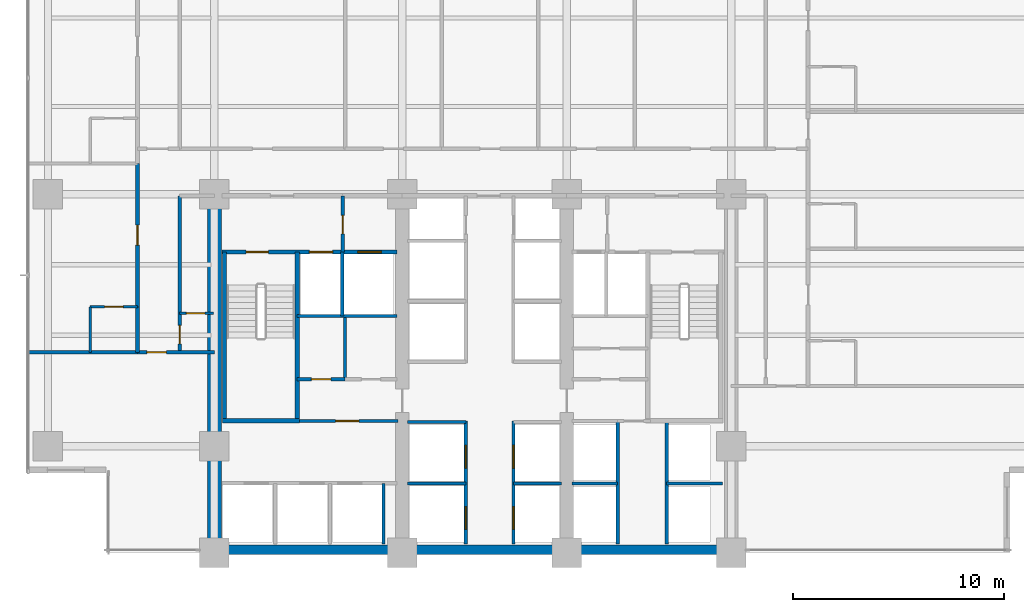
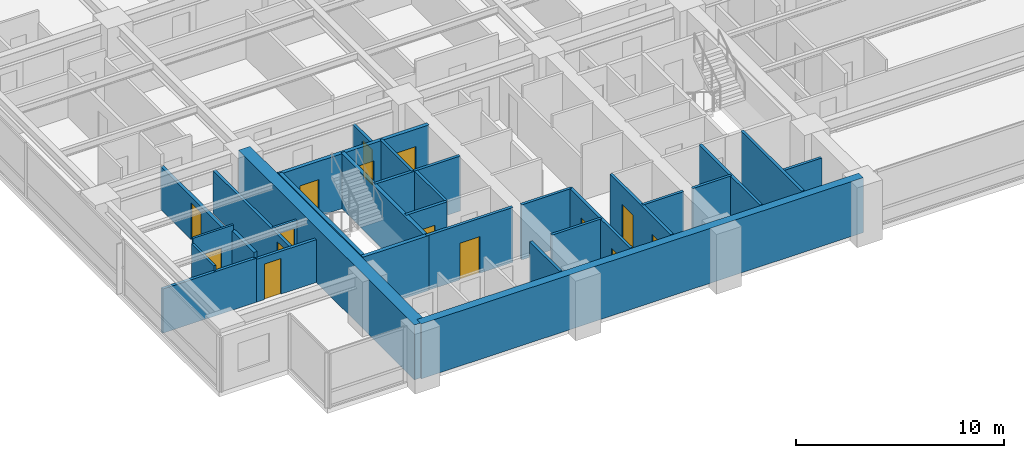
# One storey, part 7 of 17: 30 walls, 15 doors, 15 openings.
"""IFC4 building model written with IfcOpenShell, lengths in metres."""

from ifc_helpers import new_model, si_unit, direction, frame, frame_2d, origin, place, context, subcontext, project, spatial, rectangle, extrude, material, layer, layer_set, type_object, element, fill, save


model = new_model("IFC4")

# Units and contexts
model_context = context("Model", 3, precision=1e-05, world=origin(), true_north=direction((0.0, 1.0)))
body_context = subcontext(model_context, "Body", "Model", "MODEL_VIEW")
ifc_project = project(units=[si_unit("LENGTHUNIT", "METRE"), si_unit("AREAUNIT", "SQUARE_METRE"), si_unit("VOLUMEUNIT", "CUBIC_METRE"), si_unit("PLANEANGLEUNIT", "RADIAN"), si_unit("MASSUNIT", "GRAM", prefix="KILO")], contexts=[model_context])

# Site, building, storey
site_placement = place(None, origin())
site = spatial("IfcSite", under=ifc_project, at=site_placement, CompositionType="ELEMENT")
building_placement = place(site_placement, origin())
building = spatial("IfcBuilding", under=site, at=building_placement, Name="Qalmaran Belvedere Hotel", CompositionType="ELEMENT")
storey_placement = place(building_placement, frame((0.0, 0.0, 47.39990234375)))
storey = spatial("IfcBuildingStorey", under=building, at=storey_placement, Name="L11", CompositionType="ELEMENT", Elevation=47.39990234375)

# Walls
ifc_material_1 = material(Name="Concrete C60/75", Category="concrete")
ifc_layer_1 = layer(ifc_material_1, 0.64990234375, Name="Concrete C60/75")
ifc_layer_set_1 = layer_set([ifc_layer_1], Name="Concrete C60/75")
wall_type_1 = type_object("IfcWallType", Name="WL-CORE-650-C60", PredefinedType="SHEAR", material=ifc_layer_set_1)
wall_1_placement = place(storey_placement, frame((20.300048828125, 3.5, 0.0), z_axis=(0.0, 0.0, 1.0), x_axis=(0.0, 1.0, 0.0)))
element("IfcWall", 1, at=wall_1_placement, inside=storey, type_object=wall_type_1, Name="L11 West Core Shear Wall", PredefinedType="SHEAR", context=body_context, shape_type="SweptSolid", body=[
    extrude(rectangle(XDim=16.89990234375, YDim=0.64990234375, at=frame_2d((8.449951171875, 0.0))), origin(), (0.0, 0.0, 1.0), 3.22021484375),
])
ifc_material_2 = material(Name="Concrete C50/60", Category="concrete")
ifc_layer_2 = layer(ifc_material_2, 0.43994140625, Name="Concrete C50/60")
ifc_layer_set_2 = layer_set([ifc_layer_2], Name="Concrete C50/60")
wall_type_2 = type_object("IfcWallType", Name="WL-CORES-440-EXT", PredefinedType="SHEAR", material=ifc_layer_set_2)
wall_2_placement = place(storey_placement, frame((20.300048828125, 3.6298828125, 0.0), z_axis=(0.0, 0.0, 1.0), x_axis=(1.0, 0.0, 0.0)))
element("IfcWall", 2, at=wall_2_placement, inside=storey, type_object=wall_type_2, Name="L11 South Core Shear Wall", PredefinedType="SHEAR", context=body_context, shape_type="SweptSolid", body=[
    extrude(rectangle(XDim=24.5, YDim=0.43994140625, at=frame_2d((12.25, 0.0))), origin(), (0.0, 0.0, 1.0), 3.22021484375),
])

# Wall, opening, door
ifc_material_3 = material(Name="Moisture-Resistant Gypsum")
ifc_layer_3 = layer(ifc_material_3, 0.1201171875, Name="Moisture-Resistant Gypsum")
ifc_layer_set_3 = layer_set([ifc_layer_3], Name="Moisture-Resistant Gypsum")
wall_type_3 = type_object("IfcWallType", Name="WL-INT-120-BATH", PredefinedType="PARTITIONING", material=ifc_layer_set_3)
wall_3_placement = place(storey_placement, frame((14.39990234375, 15.14990234375, 0.0), z_axis=(0.0, 0.0, 1.0), x_axis=(1.0, 0.0, 0.0)))
wall_3 = element("IfcWall", 3, at=wall_3_placement, inside=storey, type_object=wall_type_3, Name="L11 Partition WL-L11-WBN00", PredefinedType="PARTITIONING", context=body_context, shape_type="SweptSolid", body=[
    extrude(rectangle(XDim=2.25, YDim=0.1201171875, at=frame_2d((1.125, 0.0))), origin(), (0.0, 0.0, 1.0), 3.22021484375),
])
opening_1_placement = place(wall_3_placement, frame((1.56494140625, 0.0, 0.0), z_axis=(0.0, 0.0, 1.0), x_axis=(-1.0, 0.0, 0.0)))
opening_1 = element("IfcOpeningElement", 4, at=opening_1_placement, cuts=wall_3, Name="Opening D-BATH", PredefinedType="OPENING", context=body_context, shape_type="SweptSolid", body=[
    extrude(rectangle(XDim=0.8798828125, YDim=2.080078125, at=frame_2d((0.43994140625, 1.0400390625))), frame((0.0, 0.070068359375, 0.0), z_axis=(0.0, -1.0, 0.0), x_axis=(1.0, 0.0, 0.0)), (0.0, 0.0, 1.0), 0.14013671875),
])
ifc_material_4 = material(Name="Engineered Oak Veneer")
door_type_1 = type_object("IfcDoorType", Name="DR-INT-BATH-880X2080", OperationType="NOTDEFINED", PredefinedType="DOOR", material=ifc_material_4)
door_1_placement = place(opening_1_placement, origin())
door_1 = element("IfcDoor", 5, at=door_1_placement, inside=storey, type_object=door_type_1, Name="L11 W Ensuite Door 01", OperationType="SINGLE_SWING_RIGHT", OverallHeight=2.080078125, OverallWidth=0.8798828125, PredefinedType="DOOR", context=body_context, shape_type="SweptSolid", body=[
    extrude(rectangle(XDim=0.8798828125, YDim=2.080078125, at=frame_2d((0.43994140625, 1.0400390625))), frame((0.0, 0.02490234375, 0.0), z_axis=(0.0, -1.0, 0.0), x_axis=(1.0, 0.0, 0.0)), (0.0, 0.0, 1.0), 0.050048828125),
])
fill(opening_1, door_1)

# Wall
wall_4_placement = place(storey_placement, frame((14.39990234375, 13.0, 0.0), z_axis=(0.0, 0.0, 1.0), x_axis=(0.0, 1.0, 0.0)))
element("IfcWall", 6, at=wall_4_placement, inside=storey, type_object=wall_type_3, Name="L11 Partition WL-L11-WBS00", PredefinedType="PARTITIONING", context=body_context, shape_type="SweptSolid", body=[
    extrude(rectangle(XDim=2.14990234375, YDim=0.1201171875, at=frame_2d((1.074951171875, 0.0))), origin(), (0.0, 0.0, 1.0), 2.902099609375),
])

# Wall, opening, door
ifc_material_5 = material(Name="Gypsum Stud Partition")
ifc_layer_4 = layer(ifc_material_5, 0.139892578125, Name="Gypsum Stud Partition")
ifc_layer_set_4 = layer_set([ifc_layer_4], Name="Gypsum Stud Partition")
wall_type_4 = type_object("IfcWallType", Name="WL-INT-140-NR", PredefinedType="PARTITIONING", material=ifc_layer_set_4)
wall_5_placement = place(storey_placement, frame((18.64990234375, 14.85009765625, 0.0), z_axis=(0.0, 0.0, 1.0), x_axis=(1.0, 0.0, 0.0)))
wall_5 = element("IfcWall", 7, at=wall_5_placement, inside=storey, type_object=wall_type_4, Name="L11 Partition WL-L11-WCLSUB", PredefinedType="PARTITIONING", context=body_context, shape_type="SweptSolid", body=[
    extrude(rectangle(XDim=1.60009765625, YDim=0.139892578125, at=frame_2d((0.800048828125, 0.0))), origin(), (0.0, 0.0, 1.0), 2.510009765625),
])
opening_2_placement = place(wall_5_placement, frame((1.193115234375, 0.0, 0.0), z_axis=(0.0, 0.0, 1.0), x_axis=(-1.0, 0.0, 0.0)))
opening_2 = element("IfcOpeningElement", 8, at=opening_2_placement, cuts=wall_5, Name="Opening D-BATH", PredefinedType="OPENING", context=body_context, shape_type="SweptSolid", body=[
    extrude(rectangle(XDim=0.8798828125, YDim=2.080078125, at=frame_2d((0.43994140625, 1.0400390625))), frame((0.0, 0.080078125, 0.0), z_axis=(0.0, -1.0, 0.0), x_axis=(1.0, 0.0, 0.0)), (0.0, 0.0, 1.0), 0.159912109375),
])
door_2_placement = place(opening_2_placement, origin())
door_2 = element("IfcDoor", 9, at=door_2_placement, inside=storey, type_object=door_type_1, Name="L11 Closet Alcove Door", OperationType="SINGLE_SWING_LEFT", OverallHeight=2.080078125, OverallWidth=0.8798828125, PredefinedType="DOOR", context=body_context, shape_type="SweptSolid", body=[
    extrude(rectangle(XDim=0.8798828125, YDim=2.080078125, at=frame_2d((0.43994140625, 1.0400390625))), frame((0.0, 0.02490234375, 0.0), z_axis=(0.0, -1.0, 0.0), x_axis=(1.0, 0.0, 0.0)), (0.0, 0.0, 1.0), 0.050048828125),
])
fill(opening_2, door_2)

# Walls
ifc_layer_5 = layer(ifc_material_5, 0.14990234375, Name="Gypsum Stud Partition")
ifc_layer_set_5 = layer_set([ifc_layer_5], Name="Gypsum Stud Partition")
wall_type_5 = type_object("IfcWallType", Name="WL-INT-150-EI120", PredefinedType="PARTITIONING", material=ifc_layer_set_5)
wall_6_placement = place(storey_placement, frame((26.360107421875, 14.719970703125, 0.0), z_axis=(0.0, 0.0, 1.0), x_axis=(0.0, 1.0, 0.0)))
element("IfcWall", 10, at=wall_6_placement, inside=storey, type_object=wall_type_5, Name="L11 Partition WL-FF1M-L11", PredefinedType="PARTITIONING", context=body_context, shape_type="SweptSolid", body=[
    extrude(rectangle(XDim=3.0400390625, YDim=0.14990234375, at=frame_2d((1.52001953125, 0.0))), origin(), (0.0, 0.0, 1.0), 3.22021484375),
])
wall_7_placement = place(storey_placement, frame((28.320068359375, 3.89990234375, 0.0), z_axis=(0.0, 0.0, 1.0), x_axis=(0.0, 1.0, 0.0)))
element("IfcWall", 11, at=wall_7_placement, inside=storey, type_object=wall_type_5, Name="L11 Partition WL-POM3-L11", PredefinedType="PARTITIONING", context=body_context, shape_type="SweptSolid", body=[
    extrude(rectangle(XDim=2.880126953125, YDim=0.14990234375, at=frame_2d((1.43994140625, 0.0))), origin(), (0.0, 0.0, 1.0), 3.22021484375),
])
wall_8_placement = place(storey_placement, frame((37.25, 6.780029296875, 0.0), z_axis=(0.0, 0.0, 1.0), x_axis=(1.0, 0.0, 0.0)))
element("IfcWall", 12, at=wall_8_placement, inside=storey, type_object=wall_type_5, Name="L11 Partition WL-PHMW-L11", PredefinedType="PARTITIONING", context=body_context, shape_type="SweptSolid", body=[
    extrude(rectangle(XDim=2.169921875, YDim=0.14990234375, at=frame_2d((1.0849609375, 0.0))), origin(), (0.0, 0.0, 1.0), 3.22021484375),
])
wall_9_placement = place(storey_placement, frame((41.739990234375, 6.780029296875, 0.0), z_axis=(0.0, 0.0, 1.0), x_axis=(1.0, 0.0, 0.0)))
element("IfcWall", 13, at=wall_9_placement, inside=storey, type_object=wall_type_5, Name="L11 Partition WL-PHME-L11", PredefinedType="PARTITIONING", context=body_context, shape_type="SweptSolid", body=[
    extrude(rectangle(XDim=2.659912109375, YDim=0.14990234375, at=frame_2d((1.330078125, 0.0))), origin(), (0.0, 0.0, 1.0), 2.510009765625),
])
wall_10_placement = place(storey_placement, frame((29.449951171875, 6.780029296875, 0.0), z_axis=(0.0, 0.0, 1.0), x_axis=(1.0, 0.0, 0.0)))
element("IfcWall", 14, at=wall_10_placement, inside=storey, type_object=wall_type_5, Name="L11 Partition WL-PLW-L11-67", PredefinedType="PARTITIONING", context=body_context, shape_type="SweptSolid", body=[
    extrude(rectangle(XDim=2.77001953125, YDim=0.14990234375, at=frame_2d((1.385009765625, 0.0))), origin(), (0.0, 0.0, 1.0), 3.22021484375),
])
wall_11_placement = place(storey_placement, frame((34.47998046875, 6.780029296875, 0.0), z_axis=(0.0, 0.0, 1.0), x_axis=(1.0, 0.0, 0.0)))
element("IfcWall", 15, at=wall_11_placement, inside=storey, type_object=wall_type_5, Name="L11 Partition WL-PLE-L11-67", PredefinedType="PARTITIONING", context=body_context, shape_type="SweptSolid", body=[
    extrude(rectangle(XDim=2.27001953125, YDim=0.14990234375, at=frame_2d((1.135009765625, 0.0))), origin(), (0.0, 0.0, 1.0), 3.22021484375),
])
wall_12_placement = place(storey_placement, frame((29.449951171875, 9.699951171875, 0.0), z_axis=(0.0, 0.0, 1.0), x_axis=(1.0, 0.0, 0.0)))
element("IfcWall", 16, at=wall_12_placement, inside=storey, type_object=wall_type_5, Name="L11 Partition WL-PLW-L11-97", PredefinedType="PARTITIONING", context=body_context, shape_type="SweptSolid", body=[
    extrude(rectangle(XDim=2.77001953125, YDim=0.14990234375, at=frame_2d((1.385009765625, 0.0))), origin(), (0.0, 0.0, 1.0), 3.22021484375),
])
ifc_layer_6 = layer(ifc_material_5, 0.14990234375, Name="Gypsum Stud Partition")
ifc_layer_set_6 = layer_set([ifc_layer_6], Name="Gypsum Stud Partition")
wall_type_6 = type_object("IfcWallType", Name="WL-INT-150-EI60", PredefinedType="PARTITIONING", material=ifc_layer_set_6)
wall_13_placement = place(storey_placement, frame((26.490478515625, 11.719970703125, 0.0), z_axis=(0.0, 0.0, 1.0), x_axis=(0.0, 1.0, 0.0)))
element("IfcWall", 17, at=wall_13_placement, inside=storey, type_object=wall_type_6, Name="L11 Partition WL-L11-KWV1", PredefinedType="PARTITIONING", context=body_context, shape_type="SweptSolid", body=[
    extrude(rectangle(XDim=2.929931640625, YDim=0.14990234375, at=frame_2d((1.46484375, 0.0))), origin(), (0.0, 0.0, 1.0), 3.22021484375),
])

# Wall, opening, door
ifc_layer_7 = layer(ifc_material_5, 0.159912109375, Name="Gypsum Stud Partition")
ifc_layer_set_7 = layer_set([ifc_layer_7], Name="Gypsum Stud Partition")
wall_type_7 = type_object("IfcWallType", Name="WL-INT-160-EI120", PredefinedType="PARTITIONING", material=ifc_layer_set_7)
wall_14_placement = place(storey_placement, frame((26.3798828125, 17.760009765625, 0.0), z_axis=(0.0, 0.0, 1.0), x_axis=(0.0, 1.0, 0.0)))
wall_14 = element("IfcWall", 18, at=wall_14_placement, inside=storey, type_object=wall_type_7, Name="L11 Partition WL-FFSV1-L11", PredefinedType="PARTITIONING", context=body_context, shape_type="SweptSolid", body=[
    extrude(rectangle(XDim=2.659912109375, YDim=0.159912109375, at=frame_2d((1.330078125, 0.0))), origin(), (0.0, 0.0, 1.0), 2.510009765625),
])
opening_3_placement = place(wall_14_placement, frame((0.85009765625, 0.0, 0.0)))
opening_3 = element("IfcOpeningElement", 19, at=opening_3_placement, cuts=wall_14, Name="Opening FD60B", PredefinedType="OPENING", context=body_context, shape_type="SweptSolid", body=[
    extrude(rectangle(XDim=0.8798828125, YDim=2.080078125, at=frame_2d((0.43994140625, 1.0400390625))), frame((0.0, 0.08984375, 0.0), z_axis=(0.0, -1.0, 0.0), x_axis=(1.0, 0.0, 0.0)), (0.0, 0.0, 1.0), 0.179931640625),
])
ifc_material_6 = material(Name="Steel S355JR", Category="steel")
door_type_2 = type_object("IfcDoorType", Name="DR-FD60B-880X2080", OperationType="NOTDEFINED", PredefinedType="DOOR", material=ifc_material_6)
door_3_placement = place(opening_3_placement, origin())
door_3 = element("IfcDoor", 20, at=door_3_placement, inside=storey, type_object=door_type_2, Name="L11 Service Lobby West Door", OperationType="SINGLE_SWING_RIGHT", OverallHeight=2.080078125, OverallWidth=0.8798828125, PredefinedType="DOOR", context=body_context, shape_type="SweptSolid", body=[
    extrude(rectangle(XDim=0.8798828125, YDim=2.080078125, at=frame_2d((0.43994140625, 1.0400390625))), frame((0.0, 0.02490234375, 0.0), z_axis=(0.0, -1.0, 0.0), x_axis=(1.0, 0.0, 0.0)), (0.0, 0.0, 1.0), 0.050048828125),
])
fill(opening_3, door_3)

# Wall
wall_15_placement = place(storey_placement, frame((24.219970703125, 14.719970703125, 0.0), z_axis=(0.0, 0.0, 1.0), x_axis=(1.0, 0.0, 0.0)))
element("IfcWall", 21, at=wall_15_placement, inside=storey, type_object=wall_type_7, Name="L11 Partition WL-FF1S-L11", PredefinedType="PARTITIONING", context=body_context, shape_type="SweptSolid", body=[
    extrude(rectangle(XDim=4.72998046875, YDim=0.159912109375, at=frame_2d((2.364990234375, 0.0))), origin(), (0.0, 0.0, 1.0), 3.22021484375),
])

# Wall, opening, door
wall_16_placement = place(storey_placement, frame((24.199951171875, 9.739990234375, 0.0), z_axis=(0.0, 0.0, 1.0), x_axis=(1.0, 0.0, 0.0)))
wall_16 = element("IfcWall", 22, at=wall_16_placement, inside=storey, type_object=wall_type_7, Name="L11 Partition WL-PON-L11", PredefinedType="PARTITIONING", context=body_context, shape_type="SweptSolid", body=[
    extrude(rectangle(XDim=4.800048828125, YDim=0.159912109375, at=frame_2d((2.39990234375, 0.0))), origin(), (0.0, 0.0, 1.0), 3.22021484375),
])
opening_4_placement = place(wall_16_placement, frame((1.85009765625, 0.0, 0.0)))
opening_4 = element("IfcOpeningElement", 23, at=opening_4_placement, cuts=wall_16, Name="Opening FD90", PredefinedType="OPENING", context=body_context, shape_type="SweptSolid", body=[
    extrude(rectangle(XDim=1.10009765625, YDim=2.14990234375, at=frame_2d((0.550048828125, 1.074951171875))), frame((0.0, 0.08984375, 0.0), z_axis=(0.0, -1.0, 0.0), x_axis=(1.0, 0.0, 0.0)), (0.0, 0.0, 1.0), 0.179931640625),
])
door_type_3 = type_object("IfcDoorType", Name="DR-FD90-1100X2150", OperationType="NOTDEFINED", PredefinedType="DOOR", material=ifc_material_6)
door_4_placement = place(opening_4_placement, origin())
door_4 = element("IfcDoor", 24, at=door_4_placement, inside=storey, type_object=door_type_3, Name="L11 Shuttle Lobby Passage Door", OperationType="SINGLE_SWING_LEFT", OverallHeight=2.14990234375, OverallWidth=1.10009765625, PredefinedType="DOOR", context=body_context, shape_type="SweptSolid", body=[
    extrude(rectangle(XDim=1.10009765625, YDim=2.14990234375, at=frame_2d((0.550048828125, 1.074951171875))), frame((0.0, 0.02490234375, 0.0), z_axis=(0.0, -1.0, 0.0), x_axis=(1.0, 0.0, 0.0)), (0.0, 0.0, 1.0), 0.050048828125),
])
fill(opening_4, door_4)

# Walls
for number, where, z_axis, x_axis, name in (
    (25, (39.419921875, 3.89990234375, 0.0), (0.0, 0.0, 1.0), (0.0, 1.0, 0.0), "L11 Partition WL-PHW-L11"),
    (26, (41.739990234375, 3.89990234375, 0.0), (0.0, 0.0, 1.0), (0.0, 1.0, 0.0), "L11 Partition WL-PHE-L11"),
):
    element("IfcWall", number, at=place(storey_placement, frame(where, z_axis=z_axis, x_axis=x_axis)), inside=storey, type_object=wall_type_7, Name=name, PredefinedType="PARTITIONING", context=body_context, shape_type="SweptSolid", body=[
        extrude(rectangle(XDim=5.840087890625, YDim=0.159912109375, at=frame_2d((2.919921875, 0.0))), origin(), (0.0, 0.0, 1.0), 3.22021484375),
    ])

# Wall, openings, doors
wall_17_placement = place(storey_placement, frame((32.219970703125, 3.89990234375, 0.0), z_axis=(0.0, 0.0, 1.0), x_axis=(0.0, 1.0, 0.0)))
wall_17 = element("IfcWall", 27, at=wall_17_placement, inside=storey, type_object=wall_type_7, Name="L11 Partition WL-CLBWS-L11", PredefinedType="PARTITIONING", context=body_context, shape_type="SweptSolid", body=[
    extrude(rectangle(XDim=5.840087890625, YDim=0.159912109375, at=frame_2d((2.919921875, 0.0))), origin(), (0.0, 0.0, 1.0), 3.22021484375),
])
opening_5_placement = place(wall_17_placement, frame((1.780029296875, 0.0, 0.0), z_axis=(0.0, 0.0, 1.0), x_axis=(-1.0, 0.0, 0.0)))
opening_5 = element("IfcOpeningElement", 28, at=opening_5_placement, cuts=wall_17, Name="Opening LD-P1", PredefinedType="OPENING", context=body_context, shape_type="SweptSolid", body=[
    extrude(rectangle(XDim=1.080078125, YDim=2.159912109375, at=frame_2d((0.5400390625, 1.080078125))), frame((0.0, 0.08984375, 0.0), z_axis=(0.0, -1.0, 0.0), x_axis=(1.0, 0.0, 0.0)), (0.0, 0.0, 1.0), 0.179931640625),
])
opening_6_placement = place(wall_17_placement, frame((4.68017578125, 0.0, 0.0), z_axis=(0.0, 0.0, 1.0), x_axis=(-1.0, 0.0, 0.0)))
opening_6 = element("IfcOpeningElement", 29, at=opening_6_placement, cuts=wall_17, Name="Opening LD-P1", PredefinedType="OPENING", context=body_context, shape_type="SweptSolid", body=[
    extrude(rectangle(XDim=1.080078125, YDim=2.159912109375, at=frame_2d((0.5400390625, 1.080078125))), frame((0.0, 0.08984375, 0.0), z_axis=(0.0, -1.0, 0.0), x_axis=(1.0, 0.0, 0.0)), (0.0, 0.0, 1.0), 0.179931640625),
])
ifc_material_7 = material(Name="Stainless Steel 1.4401", Category="steel")
door_type_4 = type_object("IfcDoorType", Name="DR-LIFT-P1-1080X2160", OperationType="DOUBLE_DOOR_SLIDING", PredefinedType="DOOR", material=ifc_material_7)
door_5_placement = place(opening_5_placement, origin())
door_5 = element("IfcDoor", 30, at=door_5_placement, inside=storey, type_object=door_type_4, Name="L11 PL1 Lift Landing Door", OperationType="DOUBLE_DOOR_SLIDING", OverallHeight=2.159912109375, OverallWidth=1.080078125, PredefinedType="DOOR", context=body_context, shape_type="SweptSolid", body=[
    extrude(rectangle(XDim=1.080078125, YDim=2.159912109375, at=frame_2d((0.5400390625, 1.080078125))), frame((0.0, 0.02490234375, 0.0), z_axis=(0.0, -1.0, 0.0), x_axis=(1.0, 0.0, 0.0)), (0.0, 0.0, 1.0), 0.050048828125),
])
fill(opening_5, door_5)
door_6_placement = place(opening_6_placement, origin())
door_6 = element("IfcDoor", 31, at=door_6_placement, inside=storey, type_object=door_type_4, Name="L11 PL2 Lift Landing Door", OperationType="DOUBLE_DOOR_SLIDING", OverallHeight=2.159912109375, OverallWidth=1.080078125, PredefinedType="DOOR", context=body_context, shape_type="SweptSolid", body=[
    extrude(rectangle(XDim=1.080078125, YDim=2.159912109375, at=frame_2d((0.5400390625, 1.080078125))), frame((0.0, 0.02490234375, 0.0), z_axis=(0.0, -1.0, 0.0), x_axis=(1.0, 0.0, 0.0)), (0.0, 0.0, 1.0), 0.050048828125),
])
fill(opening_6, door_6)

wall_18_placement = place(storey_placement, frame((34.47998046875, 3.89990234375, 0.0), z_axis=(0.0, 0.0, 1.0), x_axis=(0.0, 1.0, 0.0)))
wall_18 = element("IfcWall", 32, at=wall_18_placement, inside=storey, type_object=wall_type_7, Name="L11 Partition WL-CLBES-L11", PredefinedType="PARTITIONING", context=body_context, shape_type="SweptSolid", body=[
    extrude(rectangle(XDim=5.840087890625, YDim=0.159912109375, at=frame_2d((2.919921875, 0.0))), origin(), (0.0, 0.0, 1.0), 3.22021484375),
])
opening_7_placement = place(wall_18_placement, frame((0.699951171875, 0.0, 0.0)))
opening_7 = element("IfcOpeningElement", 33, at=opening_7_placement, cuts=wall_18, Name="Opening LD-P1", PredefinedType="OPENING", context=body_context, shape_type="SweptSolid", body=[
    extrude(rectangle(XDim=1.080078125, YDim=2.159912109375, at=frame_2d((0.5400390625, 1.080078125))), frame((0.0, 0.08984375, 0.0), z_axis=(0.0, -1.0, 0.0), x_axis=(1.0, 0.0, 0.0)), (0.0, 0.0, 1.0), 0.179931640625),
])
opening_8_placement = place(wall_18_placement, frame((3.60009765625, 0.0, 0.0)))
opening_8 = element("IfcOpeningElement", 34, at=opening_8_placement, cuts=wall_18, Name="Opening LD-P1", PredefinedType="OPENING", context=body_context, shape_type="SweptSolid", body=[
    extrude(rectangle(XDim=1.080078125, YDim=2.159912109375, at=frame_2d((0.5400390625, 1.080078125))), frame((0.0, 0.08984375, 0.0), z_axis=(0.0, -1.0, 0.0), x_axis=(1.0, 0.0, 0.0)), (0.0, 0.0, 1.0), 0.179931640625),
])
door_7_placement = place(opening_7_placement, origin())
door_7 = element("IfcDoor", 35, at=door_7_placement, inside=storey, type_object=door_type_4, Name="L11 PL3 Lift Landing Door", OperationType="DOUBLE_DOOR_SLIDING", OverallHeight=2.159912109375, OverallWidth=1.080078125, PredefinedType="DOOR", context=body_context, shape_type="SweptSolid", body=[
    extrude(rectangle(XDim=1.080078125, YDim=2.159912109375, at=frame_2d((0.5400390625, 1.080078125))), frame((0.0, 0.02490234375, 0.0), z_axis=(0.0, -1.0, 0.0), x_axis=(1.0, 0.0, 0.0)), (0.0, 0.0, 1.0), 0.050048828125),
])
fill(opening_7, door_7)
door_8_placement = place(opening_8_placement, origin())
door_8 = element("IfcDoor", 36, at=door_8_placement, inside=storey, type_object=door_type_4, Name="L11 PL4 Lift Landing Door", OperationType="DOUBLE_DOOR_SLIDING", OverallHeight=2.159912109375, OverallWidth=1.080078125, PredefinedType="DOOR", context=body_context, shape_type="SweptSolid", body=[
    extrude(rectangle(XDim=1.080078125, YDim=2.159912109375, at=frame_2d((0.5400390625, 1.080078125))), frame((0.0, 0.02490234375, 0.0), z_axis=(0.0, -1.0, 0.0), x_axis=(1.0, 0.0, 0.0)), (0.0, 0.0, 1.0), 0.050048828125),
])
fill(opening_8, door_8)

# Wall, opening, door
ifc_layer_8 = layer(ifc_material_5, 0.159912109375, Name="Gypsum Stud Partition")
ifc_layer_set_8 = layer_set([ifc_layer_8], Name="Gypsum Stud Partition")
wall_type_8 = type_object("IfcWallType", Name="WL-INT-160-EI60", PredefinedType="PARTITIONING", material=ifc_layer_set_8)
wall_19_placement = place(storey_placement, frame((24.219970703125, 11.719970703125, 0.0), z_axis=(0.0, 0.0, 1.0), x_axis=(1.0, 0.0, 0.0)))
wall_19 = element("IfcWall", 37, at=wall_19_placement, inside=storey, type_object=wall_type_8, Name="L11 Partition WL-L11-KWE1", PredefinedType="PARTITIONING", context=body_context, shape_type="SweptSolid", body=[
    extrude(rectangle(XDim=2.2705078125, YDim=0.159912109375, at=frame_2d((1.13525390625, 0.0))), origin(), (0.0, 0.0, 1.0), 3.22021484375),
])
opening_9_placement = place(wall_19_placement, frame((0.67529296875, 0.0, 0.0)))
opening_9 = element("IfcOpeningElement", 38, at=opening_9_placement, cuts=wall_19, Name="Opening FD60S1", PredefinedType="OPENING", context=body_context, shape_type="SweptSolid", body=[
    extrude(rectangle(XDim=0.919921875, YDim=2.080078125, at=frame_2d((0.4599609375, 1.0400390625))), frame((0.0, 0.08984375, 0.0), z_axis=(0.0, -1.0, 0.0), x_axis=(1.0, 0.0, 0.0)), (0.0, 0.0, 1.0), 0.179931640625),
])
door_type_5 = type_object("IfcDoorType", Name="DR-FD60S-920X2080", OperationType="NOTDEFINED", PredefinedType="DOOR", material=ifc_material_4)
door_9_placement = place(opening_9_placement, origin())
door_9 = element("IfcDoor", 39, at=door_9_placement, inside=storey, type_object=door_type_5, Name="L11 Telecom and IT Room Door", OperationType="SINGLE_SWING_LEFT", OverallHeight=2.080078125, OverallWidth=0.919921875, PredefinedType="DOOR", context=body_context, shape_type="SweptSolid", body=[
    extrude(rectangle(XDim=0.919921875, YDim=2.080078125, at=frame_2d((0.4599609375, 1.0400390625))), frame((0.0, 0.02490234375, 0.0), z_axis=(0.0, -1.0, 0.0), x_axis=(1.0, 0.0, 0.0)), (0.0, 0.0, 1.0), 0.050048828125),
])
fill(opening_9, door_9)

wall_20_placement = place(storey_placement, frame((16.64990234375, 13.0, 0.0), z_axis=(0.0, 0.0, 1.0), x_axis=(1.0, 0.0, 0.0)))
wall_20 = element("IfcWall", 40, at=wall_20_placement, inside=storey, type_object=wall_type_8, Name="L11 Partition WL-L11-SWRL", PredefinedType="PARTITIONING", context=body_context, shape_type="SweptSolid", body=[
    extrude(rectangle(XDim=3.650146484375, YDim=0.159912109375, at=frame_2d((1.8251953125, 0.0))), origin(), (0.0, 0.0, 1.0), 2.510009765625),
])
opening_10_placement = place(wall_20_placement, frame((1.369873046875, 0.0, 0.0), z_axis=(0.0, 0.0, 1.0), x_axis=(-1.0, 0.0, 0.0)))
opening_10 = element("IfcOpeningElement", 41, at=opening_10_placement, cuts=wall_20, Name="Opening FD60S1", PredefinedType="OPENING", context=body_context, shape_type="SweptSolid", body=[
    extrude(rectangle(XDim=0.919921875, YDim=2.080078125, at=frame_2d((0.4599609375, 1.0400390625))), frame((0.0, 0.08984375, 0.0), z_axis=(0.0, -1.0, 0.0), x_axis=(1.0, 0.0, 0.0)), (0.0, 0.0, 1.0), 0.179931640625),
])
door_10_placement = place(opening_10_placement, origin())
door_10 = element("IfcDoor", 42, at=door_10_placement, inside=storey, type_object=door_type_5, Name="L11 SW Lounge Door", OperationType="SINGLE_SWING_LEFT", OverallHeight=2.080078125, OverallWidth=0.919921875, PredefinedType="DOOR", context=body_context, shape_type="SweptSolid", body=[
    extrude(rectangle(XDim=0.919921875, YDim=2.080078125, at=frame_2d((0.4599609375, 1.0400390625))), frame((0.0, 0.02490234375, 0.0), z_axis=(0.0, -1.0, 0.0), x_axis=(1.0, 0.0, 0.0)), (0.0, 0.0, 1.0), 0.050048828125),
])
fill(opening_10, door_10)

wall_21_placement = place(storey_placement, frame((18.64990234375, 13.0, 0.0), z_axis=(0.0, 0.0, 1.0), x_axis=(0.0, 1.0, 0.0)))
wall_21 = element("IfcWall", 43, at=wall_21_placement, inside=storey, type_object=wall_type_8, Name="L11 Partition WL-L11-WCL", PredefinedType="PARTITIONING", context=body_context, shape_type="SweptSolid", body=[
    extrude(rectangle(XDim=7.419921875, YDim=0.159912109375, at=frame_2d((3.7099609375, 0.0))), origin(), (0.0, 0.0, 1.0), 2.510009765625),
])
opening_11_placement = place(wall_21_placement, frame((1.27978515625, 0.0, 0.0), z_axis=(0.0, 0.0, 1.0), x_axis=(-1.0, 0.0, 0.0)))
opening_11 = element("IfcOpeningElement", 44, at=opening_11_placement, cuts=wall_21, Name="Opening FD60B", PredefinedType="OPENING", context=body_context, shape_type="SweptSolid", body=[
    extrude(rectangle(XDim=0.8798828125, YDim=2.080078125, at=frame_2d((0.43994140625, 1.0400390625))), frame((0.0, 0.08984375, 0.0), z_axis=(0.0, -1.0, 0.0), x_axis=(1.0, 0.0, 0.0)), (0.0, 0.0, 1.0), 0.179931640625),
])
door_11_placement = place(opening_11_placement, origin())
door_11 = element("IfcDoor", 45, at=door_11_placement, inside=storey, type_object=door_type_2, Name="L11 West Closet Door", OperationType="SINGLE_SWING_LEFT", OverallHeight=2.080078125, OverallWidth=0.8798828125, PredefinedType="DOOR", context=body_context, shape_type="SweptSolid", body=[
    extrude(rectangle(XDim=0.8798828125, YDim=2.080078125, at=frame_2d((0.43994140625, 1.0400390625))), frame((0.0, 0.02490234375, 0.0), z_axis=(0.0, -1.0, 0.0), x_axis=(1.0, 0.0, 0.0)), (0.0, 0.0, 1.0), 0.050048828125),
])
fill(opening_11, door_11)

# Walls
wall_22_placement = place(storey_placement, frame((11.469970703125, 13.0, 0.0), z_axis=(0.0, 0.0, 1.0), x_axis=(1.0, 0.0, 0.0)))
element("IfcWall", 46, at=wall_22_placement, inside=storey, type_object=wall_type_8, Name="L11 Partition WL-L11-WBOT", PredefinedType="PARTITIONING", context=body_context, shape_type="SweptSolid", body=[
    extrude(rectangle(XDim=5.179931640625, YDim=0.159912109375, at=frame_2d((2.58984375, 0.0))), origin(), (0.0, 0.0, 1.0), 2.5830078125),
])
ifc_layer_9 = layer(ifc_material_5, 0.179931640625, Name="Gypsum Stud Partition")
ifc_layer_set_9 = layer_set([ifc_layer_9], Name="Gypsum Stud Partition")
wall_type_9 = type_object("IfcWallType", Name="WL-INT-180-EI60", PredefinedType="PARTITIONING", material=ifc_layer_set_9)
wall_23_placement = place(storey_placement, frame((16.64990234375, 13.0, 0.0), z_axis=(0.0, 0.0, 1.0), x_axis=(0.0, 1.0, 0.0)))
element("IfcWall", 47, at=wall_23_placement, inside=storey, type_object=wall_type_9, Name="L11 Partition WL-L11-WBC00", PredefinedType="PARTITIONING", context=body_context, shape_type="SweptSolid", body=[
    extrude(rectangle(XDim=2.14990234375, YDim=0.179931640625, at=frame_2d((1.074951171875, 0.0))), origin(), (0.0, 0.0, 1.0), 2.902099609375),
])

# Wall, opening, door
wall_24_placement = place(storey_placement, frame((16.64990234375, 15.14990234375, 0.0), z_axis=(0.0, 0.0, 1.0), x_axis=(0.0, 1.0, 0.0)))
wall_24 = element("IfcWall", 48, at=wall_24_placement, inside=storey, type_object=wall_type_9, Name="L11 Partition WL-L11-WEC00", PredefinedType="PARTITIONING", context=body_context, shape_type="SweptSolid", body=[
    extrude(rectangle(XDim=6.800048828125, YDim=0.179931640625, at=frame_2d((3.39990234375, 0.0))), origin(), (0.0, 0.0, 1.0), 2.510009765625),
])
opening_12_placement = place(wall_24_placement, frame((2.925048828125, 0.0, 0.0)))
opening_12 = element("IfcOpeningElement", 49, at=opening_12_placement, cuts=wall_24, Name="Opening FD60", PredefinedType="OPENING", context=body_context, shape_type="SweptSolid", body=[
    extrude(rectangle(XDim=0.949951171875, YDim=2.14990234375, at=frame_2d((0.47509765625, 1.074951171875))), frame((0.0, 0.10009765625, 0.0), z_axis=(0.0, -1.0, 0.0), x_axis=(1.0, 0.0, 0.0)), (0.0, 0.0, 1.0), 0.199951171875),
])
door_type_6 = type_object("IfcDoorType", Name="DR-FD60-950X2150", OperationType="NOTDEFINED", PredefinedType="DOOR", material=ifc_material_4)
door_12_placement = place(opening_12_placement, origin())
door_12 = element("IfcDoor", 50, at=door_12_placement, inside=storey, type_object=door_type_6, Name="L11 W Wing Door 01", OperationType="SINGLE_SWING_LEFT", OverallHeight=2.14990234375, OverallWidth=0.949951171875, PredefinedType="DOOR", context=body_context, shape_type="SweptSolid", body=[
    extrude(rectangle(XDim=0.949951171875, YDim=2.14990234375, at=frame_2d((0.47509765625, 1.074951171875))), frame((0.0, 0.02490234375, 0.0), z_axis=(0.0, -1.0, 0.0), x_axis=(1.0, 0.0, 0.0)), (0.0, 0.0, 1.0), 0.050048828125),
])
fill(opening_12, door_12)

# Walls
ifc_layer_10 = layer(ifc_material_2, 0.2099609375, Name="Concrete C50/60")
ifc_layer_set_10 = layer_set([ifc_layer_10], Name="Concrete C50/60")
wall_type_10 = type_object("IfcWallType", Name="WL-STAIR-210-C50", PredefinedType="SHEAR", material=ifc_layer_set_10)
for number, where, z_axis, x_axis, name in (
    (51, (20.77490234375, 9.7451171875, 0.0), (0.0, 0.0, 1.0), (0.0, 1.0, 0.0), "L11 Stair ST-1 West Bearing Wall"),
    (52, (24.22509765625, 9.7451171875, 0.0), (0.0, 0.0, 1.0), (0.0, 1.0, 0.0), "L11 Stair ST-1 East Bearing Wall"),
):
    element("IfcWall", number, at=place(storey_placement, frame(where, z_axis=z_axis, x_axis=x_axis)), inside=storey, type_object=wall_type_10, Name=name, PredefinedType="SHEAR", context=body_context, shape_type="SweptSolid", body=[
        extrude(rectangle(XDim=8.009765625, YDim=0.2099609375, at=frame_2d((4.0048828125, 0.0))), origin(), (0.0, 0.0, 1.0), 3.22021484375),
    ])
wall_25_placement = place(storey_placement, frame((20.669921875, 9.7451171875, 0.0), z_axis=(0.0, 0.0, 1.0), x_axis=(1.0, 0.0, 0.0)))
element("IfcWall", 53, at=wall_25_placement, inside=storey, type_object=wall_type_10, Name="L11 Stair ST-1 South Bearing Wall", PredefinedType="SHEAR", context=body_context, shape_type="SweptSolid", body=[
    extrude(rectangle(XDim=3.66015625, YDim=0.2099609375, at=frame_2d((1.830078125, 0.0))), origin(), (0.0, 0.0, 1.0), 3.22021484375),
])

# Wall, openings, doors
wall_26_placement = place(storey_placement, frame((20.64990234375, 17.7548828125, 0.0), z_axis=(0.0, 0.0, 1.0), x_axis=(1.0, 0.0, 0.0)))
wall_26 = element("IfcWall", 54, at=wall_26_placement, inside=storey, type_object=wall_type_10, Name="L11 West Lobby and Stair ST-1 North Bearing Wall", PredefinedType="SHEAR", context=body_context, shape_type="SweptSolid", body=[
    extrude(rectangle(XDim=8.300048828125, YDim=0.2099609375, at=frame_2d((4.14990234375, 0.0))), origin(), (0.0, 0.0, 1.0), 3.22021484375),
])
opening_13_placement = place(wall_26_placement, frame((2.199951171875, 0.0, 0.0), z_axis=(0.0, 0.0, 1.0), x_axis=(-1.0, 0.0, 0.0)))
opening_13 = element("IfcOpeningElement", 55, at=opening_13_placement, cuts=wall_26, Name="Opening FD90S2", PredefinedType="OPENING", context=body_context, shape_type="SweptSolid", body=[
    extrude(rectangle(XDim=1.050048828125, YDim=2.14990234375, at=frame_2d((0.52490234375, 1.074951171875))), frame((0.0, 0.114990234375, 0.0), z_axis=(0.0, -1.0, 0.0), x_axis=(1.0, 0.0, 0.0)), (0.0, 0.0, 1.0), 0.22998046875),
])
opening_14_placement = place(wall_26_placement, frame((4.14990234375, 0.0, 0.0)))
opening_14 = element("IfcOpeningElement", 56, at=opening_14_placement, cuts=wall_26, Name="Opening LD-FF", PredefinedType="OPENING", context=body_context, shape_type="SweptSolid", body=[
    extrude(rectangle(XDim=1.10009765625, YDim=2.179931640625, at=frame_2d((0.550048828125, 1.08984375))), frame((0.0, 0.114990234375, 0.0), z_axis=(0.0, -1.0, 0.0), x_axis=(1.0, 0.0, 0.0)), (0.0, 0.0, 1.0), 0.22998046875),
])
opening_15_placement = place(wall_26_placement, frame((6.449951171875, 0.0, 0.0)))
opening_15 = element("IfcOpeningElement", 57, at=opening_15_placement, cuts=wall_26, Name="Opening LD-SV", PredefinedType="OPENING", context=body_context, shape_type="SweptSolid", body=[
    extrude(rectangle(XDim=1.1201171875, YDim=2.199951171875, at=frame_2d((0.56005859375, 1.10009765625))), frame((0.0, 0.114990234375, 0.0), z_axis=(0.0, -1.0, 0.0), x_axis=(1.0, 0.0, 0.0)), (0.0, 0.0, 1.0), 0.22998046875),
])
door_type_7 = type_object("IfcDoorType", Name="DR-FD90S-1050X2150", OperationType="NOTDEFINED", PredefinedType="DOOR", material=ifc_material_6)
door_13_placement = place(opening_13_placement, origin())
door_13 = element("IfcDoor", 58, at=door_13_placement, inside=storey, type_object=door_type_7, Name="L11 Stair ST-1 Door", OperationType="SINGLE_SWING_RIGHT", OverallHeight=2.14990234375, OverallWidth=1.050048828125, PredefinedType="DOOR", context=body_context, shape_type="SweptSolid", body=[
    extrude(rectangle(XDim=1.050048828125, YDim=2.14990234375, at=frame_2d((0.52490234375, 1.074951171875))), frame((0.0, 0.02490234375, 0.0), z_axis=(0.0, -1.0, 0.0), x_axis=(1.0, 0.0, 0.0)), (0.0, 0.0, 1.0), 0.050048828125),
])
fill(opening_13, door_13)
door_type_8 = type_object("IfcDoorType", Name="DR-LIFT-FF-1100X2180", OperationType="DOUBLE_DOOR_SLIDING", PredefinedType="DOOR", material=ifc_material_7)
door_14_placement = place(opening_14_placement, origin())
door_14 = element("IfcDoor", 59, at=door_14_placement, inside=storey, type_object=door_type_8, Name="L11 FF1 Lift Landing Door", OperationType="DOUBLE_DOOR_SLIDING", OverallHeight=2.179931640625, OverallWidth=1.10009765625, PredefinedType="DOOR", context=body_context, shape_type="SweptSolid", body=[
    extrude(rectangle(XDim=1.10009765625, YDim=2.179931640625, at=frame_2d((0.550048828125, 1.08984375))), frame((0.0, 0.02490234375, 0.0), z_axis=(0.0, -1.0, 0.0), x_axis=(1.0, 0.0, 0.0)), (0.0, 0.0, 1.0), 0.050048828125),
])
fill(opening_14, door_14)
door_type_9 = type_object("IfcDoorType", Name="DR-LIFT-SV-1120X2200", OperationType="DOUBLE_DOOR_SLIDING", PredefinedType="DOOR", material=ifc_material_7)
door_15_placement = place(opening_15_placement, origin())
door_15 = element("IfcDoor", 60, at=door_15_placement, inside=storey, type_object=door_type_9, Name="L11 SV1 Lift Landing Door", OperationType="DOUBLE_DOOR_SLIDING", OverallHeight=2.199951171875, OverallWidth=1.1201171875, PredefinedType="DOOR", context=body_context, shape_type="SweptSolid", body=[
    extrude(rectangle(XDim=1.1201171875, YDim=2.199951171875, at=frame_2d((0.56005859375, 1.10009765625))), frame((0.0, 0.02490234375, 0.0), z_axis=(0.0, -1.0, 0.0), x_axis=(1.0, 0.0, 0.0)), (0.0, 0.0, 1.0), 0.050048828125),
])
fill(opening_15, door_15)

save(model, "model.ifc")
